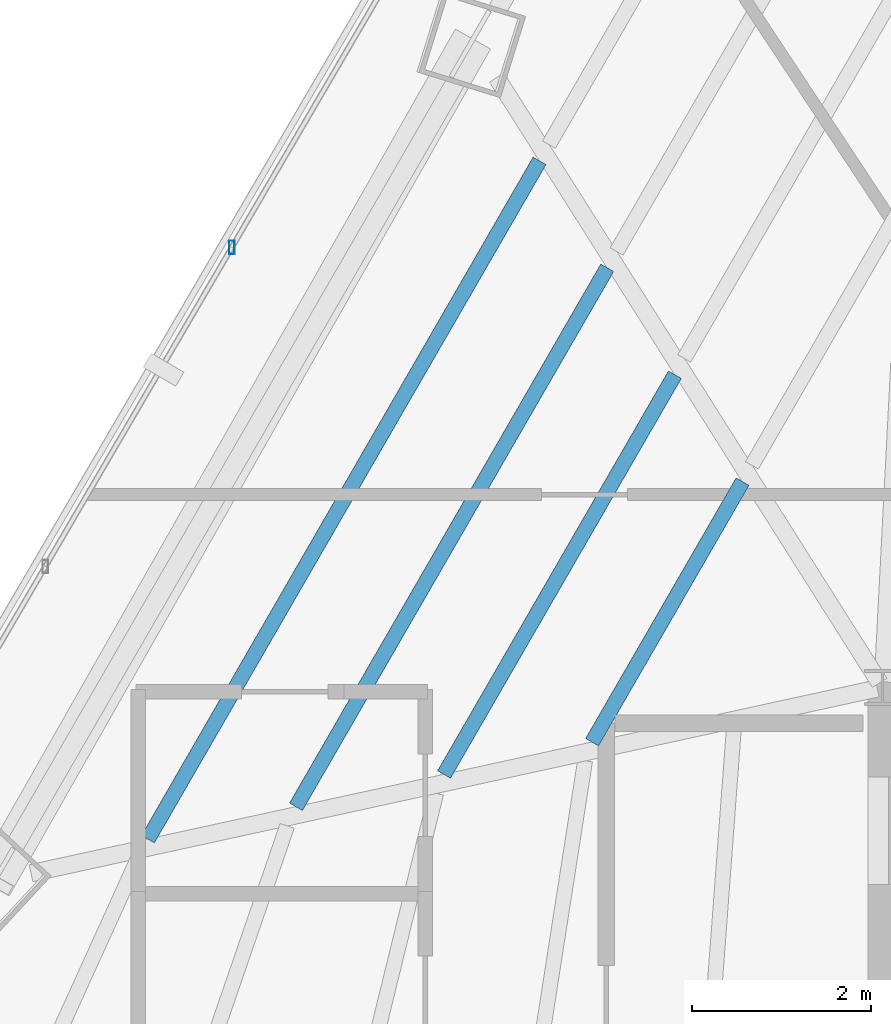
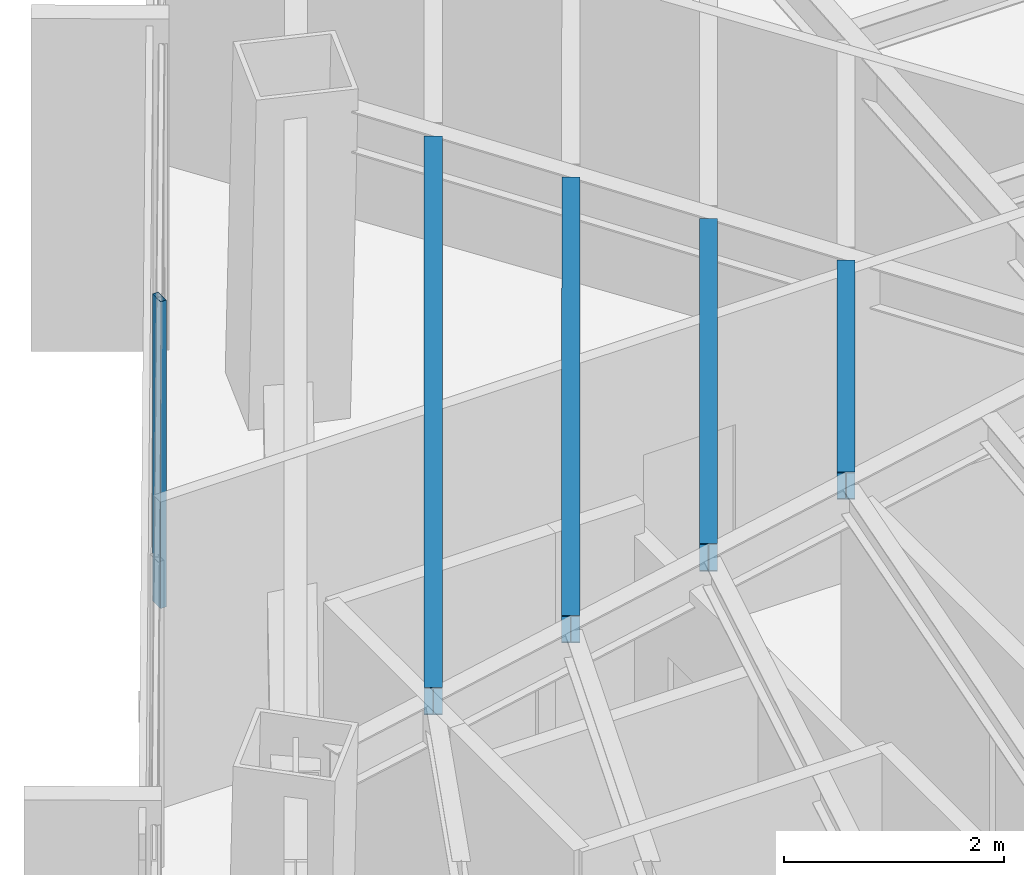
# One storey, part 15 of 41: 4 beams, 1 member, 1 element without a shape of its own.
"""IFC4 building model written with IfcOpenShell, lengths in metres."""

import ifcopenshell
import ifcopenshell.guid

model = None  # the IFC model being written
_history = None  # IfcOwnerHistory: only IFC2X3 demands one
_inside = {}  # id of a spatial element -> (the spatial element, [elements in it])
_under = {}  # id of a project, library or spatial element -> (it, [spatial elements below it])
_declared = {}  # id of a project -> (the project, [libraries it declares])
_typed = {}  # id of a type object -> (the type object, [elements of that type])
_made_of = {}  # id of a material, layer set ... -> (it, [elements and type objects made of it])


def new_model(schema):
    """Start an empty IFC model of exactly this schema.

    Asked for "IFC4X3", IfcOpenShell would pick the latest addendum, in which some entities
    have other attributes; the version numbers below select the first issue.
    IFC2X3 requires an IfcOwnerHistory on every rooted entity: one is made here for all.
    """
    global model, _history
    if schema == "IFC4X3":
        model = ifcopenshell.file(schema_version=(4, 3, 0, 0))
    else:
        model = ifcopenshell.file(schema=schema)
    _inside.clear()
    _under.clear()
    _declared.clear()
    _typed.clear()
    _made_of.clear()
    _history = None
    if model.schema == "IFC2X3":
        org = make("IfcOrganization", Name="unknown")
        user = make(
            "IfcPersonAndOrganization",
            ThePerson=make("IfcPerson", FamilyName="unknown"),
            TheOrganization=org,
        )
        app = make(
            "IfcApplication",
            ApplicationDeveloper=org,
            Version="unknown",
            ApplicationFullName="unknown",
            ApplicationIdentifier="unknown",
        )
        _history = make(
            "IfcOwnerHistory",
            OwningUser=user,
            OwningApplication=app,
            ChangeAction="ADDED",
            CreationDate=0,
        )
    return model


def make(cls, **values):
    """One entity of the class cls with the attributes given. An attribute that is None is left unset."""
    return model.create_entity(
        cls, **{name: value for name, value in values.items() if value is not None}
    )


def rooted(cls, **values):
    """An entity with a GlobalId (a new one), such as an element, a storey or a relation."""
    return make(cls, GlobalId=ifcopenshell.guid.new(), OwnerHistory=_history, **values)


def si_unit(unit_type, name, prefix=None):
    """IfcSIUnit, for example si_unit("LENGTHUNIT", "METRE", prefix="MILLI")."""
    return make("IfcSIUnit", UnitType=unit_type, Prefix=prefix, Name=name)


def assignment(units):
    """IfcUnitAssignment: the units of a project."""
    return None if units is None else make("IfcUnitAssignment", Units=units)


def point(xyz):
    """IfcCartesianPoint."""
    return None if xyz is None else make("IfcCartesianPoint", Coordinates=xyz)


def direction(xyz):
    """IfcDirection."""
    return None if xyz is None else make("IfcDirection", DirectionRatios=xyz)


def frame(location, z_axis=None, x_axis=None):
    """IfcAxis2Placement3D, a coordinate frame: its origin and axes. An axis left out is left unset."""
    return make(
        "IfcAxis2Placement3D",
        Location=point(location),
        Axis=direction(z_axis),
        RefDirection=direction(x_axis),
    )


def frame_2d(location, x_axis=None):
    """IfcAxis2Placement2D, a coordinate frame in the plane: its origin and x axis."""
    return make(
        "IfcAxis2Placement2D", Location=point(location), RefDirection=direction(x_axis)
    )


def origin():
    """The frame at (0, 0, 0) with its axes left unset."""
    return frame((0.0, 0.0, 0.0))


def origin_2d():
    """The frame at (0, 0) in the plane with its x axis left unset."""
    return frame_2d((0.0, 0.0))


def place(relative_to, where):
    """IfcLocalPlacement: puts the frame where relative to a parent placement (None: the world)."""
    return make(
        "IfcLocalPlacement", PlacementRelTo=relative_to, RelativePlacement=where
    )


def context(
    kind, dimensions, precision=None, world=None, true_north=None, identifier=None
):
    """IfcGeometricRepresentationContext, for example the 3D "Model" context."""
    return make(
        "IfcGeometricRepresentationContext",
        ContextIdentifier=identifier,
        ContextType=kind,
        CoordinateSpaceDimension=dimensions,
        Precision=precision,
        WorldCoordinateSystem=world,
        TrueNorth=true_north,
    )


def subcontext(parent, identifier, kind, view, scale=None):
    """IfcGeometricRepresentationSubContext, for example "Body" below "Model"."""
    return make(
        "IfcGeometricRepresentationSubContext",
        ContextIdentifier=identifier,
        ContextType=kind,
        ParentContext=parent,
        TargetScale=scale,
        TargetView=view,
    )


def project(units=None, contexts=None):
    """IfcProject with its units and contexts."""
    return rooted(
        "IfcProject",
        Name="project",
        RepresentationContexts=contexts,
        UnitsInContext=assignment(units),
    )


def spatial(cls, under=None, at=None, **own):
    """A site, building, storey or space (cls), placed at a placement, below another one or the project."""
    s = rooted(cls, ObjectPlacement=at, **own)
    if under is not None:
        _under.setdefault(under.id(), (under, []))[1].append(s)
    return s


def profile(cls, at=None, kind="AREA", **sizes):
    """A parametric profile (cls). Its sizes go by their IFC names, for example OverallWidth=200.0."""
    return make(cls, ProfileType=kind, Position=at, **sizes)


def hollow_rectangle(**sizes):
    """IfcRectangleHollowProfileDef."""
    return profile("IfcRectangleHollowProfileDef", **sizes)


def i_section(**sizes):
    """IfcIShapeProfileDef."""
    return profile("IfcIShapeProfileDef", **sizes)


def extrude(swept, where, along, depth):
    """IfcExtrudedAreaSolid: the profile swept, set in the frame where, extruded along a direction by depth."""
    return make(
        "IfcExtrudedAreaSolid",
        SweptArea=swept,
        Position=where,
        ExtrudedDirection=direction(along),
        Depth=depth,
    )


def shape(context_of_items, identifier, shape_type, items):
    """IfcShapeRepresentation: the items that make up one representation, for example the "Body"."""
    return make(
        "IfcShapeRepresentation",
        ContextOfItems=context_of_items,
        RepresentationIdentifier=identifier,
        RepresentationType=shape_type,
        Items=items,
    )


def source(mapping_origin, context_of_items, identifier, shape_type, items):
    """IfcRepresentationMap: a shape defined once, which mapped items show again and again."""
    return make(
        "IfcRepresentationMap",
        MappingOrigin=mapping_origin,
        MappedRepresentation=shape(context_of_items, identifier, shape_type, items),
    )


def transform(
    local_origin,
    x_axis=None,
    y_axis=None,
    z_axis=None,
    scale=None,
    scale2=None,
    scale3=None,
    uniform=True,
):
    """IfcCartesianTransformationOperator3D, or its non-uniform kind. x_axis, y_axis, z_axis: its Axis1, 2, 3."""
    if uniform:
        return make(
            "IfcCartesianTransformationOperator3D",
            Axis1=direction(x_axis),
            Axis2=direction(y_axis),
            LocalOrigin=point(local_origin),
            Scale=scale,
            Axis3=direction(z_axis),
        )
    return make(
        "IfcCartesianTransformationOperator3DnonUniform",
        Axis1=direction(x_axis),
        Axis2=direction(y_axis),
        LocalOrigin=point(local_origin),
        Scale=scale,
        Axis3=direction(z_axis),
        Scale2=scale2,
        Scale3=scale3,
    )


def mapped(mapping_source, mapping_target):
    """IfcMappedItem: shows the shape of a source again, moved by a transform."""
    return make(
        "IfcMappedItem", MappingSource=mapping_source, MappingTarget=mapping_target
    )


def material(Name=None, Category=None):
    """IfcMaterial."""
    return make("IfcMaterial", Name=Name, Category=Category)


def material_profile(
    of_material, cross_section, Name=None, Category=None, Priority=None
):
    """IfcMaterialProfile: a cross section and its material."""
    return make(
        "IfcMaterialProfile",
        Name=Name,
        Material=of_material,
        Profile=cross_section,
        Priority=Priority,
        Category=Category,
    )


def profile_set(profiles, Name=None, composite=None):
    """IfcMaterialProfileSet."""
    return make(
        "IfcMaterialProfileSet",
        Name=Name,
        MaterialProfiles=profiles,
        CompositeProfile=composite,
    )


def made_of(thing, what):
    """Note that an element or type object is made of a material, layer set ...; save() writes the relation."""
    if what is not None:
        _made_of.setdefault(what.id(), (what, []))[1].append(thing)
    return thing


def type_object(cls, material=None, **own):
    """A type object (cls), such as IfcWallType, which elements share."""
    return made_of(rooted(cls, **own), material)


def type_shapes(of_type, sources):
    """Give a type object the sources (RepresentationMaps) that its elements show as mapped items."""
    of_type.RepresentationMaps = sources


def element(
    cls,
    number,
    at=None,
    inside=None,
    cuts=None,
    type_object=None,
    material=None,
    context=None,
    identifier="Body",
    shape_type=None,
    held_by="IfcProductDefinitionShape",
    body=None,
    shapes=None,
    **own,
):
    """One element of the class cls, such as IfcWall. Its Tag is "e" and its number.

    at: its placement. inside: the storey or other place that contains it. cuts: it is an
    opening in that element (IfcRelVoidsElement). A single representation is given by context,
    identifier, shape_type and body (its items); several are given by shapes. held_by: the class
    of the entity that holds the representations. save() writes the other relations.
    """
    e = rooted(cls, Tag="e%d" % number, ObjectPlacement=at, **own)
    if body is not None:
        shapes = [shape(context, identifier, shape_type, body)]
    if shapes is not None:
        e.Representation = make(held_by, Representations=shapes)
    if inside is not None:
        _inside.setdefault(inside.id(), (inside, []))[1].append(e)
    if cuts is not None:
        rooted(
            "IfcRelVoidsElement", RelatingBuildingElement=cuts, RelatedOpeningElement=e
        )
    if type_object is not None:
        _typed.setdefault(type_object.id(), (type_object, []))[1].append(e)
    return made_of(e, material)


def aggregate(whole, parts):
    """IfcRelAggregates: a whole, such as a stair, and the parts it consists of."""
    return rooted("IfcRelAggregates", RelatingObject=whole, RelatedObjects=parts)


def save(model, path):
    """Write the relations noted so far, then the file.

    IfcRelAggregates (storeys below a building ...), IfcRelContainedInSpatialStructure (elements
    in a storey), IfcRelDefinesByType, IfcRelAssociatesMaterial and IfcRelDeclares: one each for
    every whole, place, type object, material and project.
    """
    for whole, parts in _under.values():
        aggregate(whole, parts)
    for where, things in _inside.values():
        rooted(
            "IfcRelContainedInSpatialStructure",
            RelatedElements=things,
            RelatingStructure=where,
        )
    for kind, things in _typed.values():
        rooted("IfcRelDefinesByType", RelatedObjects=things, RelatingType=kind)
    for what, things in _made_of.values():
        rooted("IfcRelAssociatesMaterial", RelatedObjects=things, RelatingMaterial=what)
    for by, libraries in _declared.values():
        rooted("IfcRelDeclares", RelatingContext=by, RelatedDefinitions=libraries)
    model.write(path)


model = new_model("IFC4")

# Units and contexts
model_context = context("Model", 3, precision=1e-05, world=origin(), true_north=direction((0.0, 1.0)))
body_context = subcontext(model_context, "Body", "Model", "MODEL_VIEW")
ifc_project = project(units=[si_unit("LENGTHUNIT", "METRE"), si_unit("AREAUNIT", "SQUARE_METRE"), si_unit("VOLUMEUNIT", "CUBIC_METRE"), si_unit("PLANEANGLEUNIT", "RADIAN"), si_unit("MASSUNIT", "GRAM", prefix="KILO")], contexts=[model_context])

# Site, building, storey
site_placement = place(None, origin())
site = spatial("IfcSite", under=ifc_project, at=site_placement, CompositionType="ELEMENT")
building_placement = place(site_placement, origin())
building = spatial("IfcBuilding", under=site, at=building_placement, Name="Caelisora Broadcast Tower", CompositionType="ELEMENT")
storey_placement = place(building_placement, frame((0.0, 0.0, 135.449951171875)))
storey = spatial("IfcBuildingStorey", under=building, at=storey_placement, Name="L35", CompositionType="ELEMENT", Elevation=135.449951171875)

# Beams
ifc_material_1 = material(Name="Steel Grade 350 (AS/NZS 3679.1)", Category="steel")
ifc_material_profile_1 = material_profile(ifc_material_1, i_section(OverallWidth=0.166015625, OverallDepth=0.30712890625, WebThickness=0.006591796875, FlangeThickness=0.01171875, at=origin_2d()), Name="Steel Grade 350 (AS/NZS 3679.1)")
ifc_profile_set_1 = profile_set([ifc_material_profile_1], Name="Steel Grade 350 (AS/NZS 3679.1)")
beam_type = type_object("IfcBeamType", Name="SB03", PredefinedType="JOIST", material=ifc_profile_set_1)
shared_shape_1 = source(origin(), body_context, "Body", "SweptSolid", [
    extrude(i_section(OverallWidth=0.166015625, OverallDepth=0.30712890625, WebThickness=0.006591796875, FlangeThickness=0.01171875, at=origin_2d()), origin(), (0.0, 0.0, 1.0), 3.3544921875),
])
beam_1_placement = place(storey_placement, frame((28.93896484375, 32.293701171875, 3.246337890625), z_axis=(-0.50000595786, -0.866021963985, 0.0), x_axis=(0.866021963985, -0.50000595786, 0.0)))
element("IfcBeam", 1, at=beam_1_placement, inside=storey, type_object=beam_type, Name="L35 beam SB03", PredefinedType="JOIST", context=body_context, shape_type="MappedRepresentation", body=[
    mapped(shared_shape_1, transform((0.0, 0.0, 0.0), scale=1.0)),
])
shared_shape_2 = source(origin(), body_context, "Body", "SweptSolid", [
    extrude(i_section(OverallWidth=0.166015625, OverallDepth=0.30712890625, WebThickness=0.006591796875, FlangeThickness=0.01171875, at=origin_2d()), origin(), (0.0, 0.0, 1.0), 5.14697265625),
])
beam_2_placement = place(storey_placement, frame((28.1845703125, 33.48583984375, 3.246337890625), z_axis=(-0.499990707328, -0.866030768845, 0.0), x_axis=(0.866030768845, -0.499990707328, 0.0)))
element("IfcBeam", 2, at=beam_2_placement, inside=storey, type_object=beam_type, Name="L35 beam SB03", PredefinedType="JOIST", context=body_context, shape_type="MappedRepresentation", body=[
    mapped(shared_shape_2, transform((0.0, 0.0, 0.0), scale=1.0)),
])
shared_shape_3 = source(origin(), body_context, "Body", "SweptSolid", [
    extrude(i_section(OverallWidth=0.166015625, OverallDepth=0.30712890625, WebThickness=0.006591796875, FlangeThickness=0.01171875, at=origin_2d()), origin(), (0.0, 0.0, 1.0), 6.93994140625),
])
beam_3_placement = place(storey_placement, frame((27.430419921875, 34.677978515625, 3.246337890625), z_axis=(-0.500036104519, -0.866004557827, 0.0), x_axis=(0.866004557827, -0.500036104519, 0.0)))
element("IfcBeam", 3, at=beam_3_placement, inside=storey, type_object=beam_type, Name="L35 beam SB03", PredefinedType="JOIST", context=body_context, shape_type="MappedRepresentation", body=[
    mapped(shared_shape_3, transform((0.0, 0.0, 0.0), scale=1.0)),
])
shared_shape_4 = source(origin(), body_context, "Body", "SweptSolid", [
    extrude(i_section(OverallWidth=0.166015625, OverallDepth=0.30712890625, WebThickness=0.006591796875, FlangeThickness=0.01171875, at=origin_2d()), origin(), (0.0, 0.0, 1.0), 8.732421875),
])
type_shapes(beam_type, [shared_shape_1, shared_shape_2, shared_shape_3, shared_shape_4])
beam_4_placement = place(storey_placement, frame((26.67578125, 35.8701171875, 3.246337890625), z_axis=(-0.499999959354, -0.866025427251, 0.0), x_axis=(0.866025427251, -0.499999959354, 0.0)))
element("IfcBeam", 4, at=beam_4_placement, inside=storey, type_object=beam_type, Name="L35 beam SB03", PredefinedType="JOIST", context=body_context, shape_type="MappedRepresentation", body=[
    mapped(shared_shape_4, transform((0.0, 0.0, 0.0), scale=1.0)),
])

# Curtain wall, member
ifc_material_2 = material(Name="Unitised Aluminium Insulated Shadow-Box Spandrel Curtain Wall", Category="aluminium")
curtain_wall_type = type_object("IfcCurtainWallType", Name="CW-SP2", PredefinedType="NOTDEFINED", material=ifc_material_2)
curtain_wall_placement = place(storey_placement, origin())
curtain_wall = element("IfcCurtainWall", 5, at=curtain_wall_placement, inside=storey, type_object=curtain_wall_type, Name="L35 curtain wall CW-SP2", PredefinedType="NOTDEFINED")
ifc_material_3 = material(Name="Aluminium 6063-T6 Anodised Terracotta Bronze", Category="aluminium")
ifc_material_profile_2 = material_profile(ifc_material_3, hollow_rectangle(XDim=0.06005859375, YDim=0.14990234375, WallThickness=0.00341796875, at=origin_2d()), Name="Aluminium 6063-T6 Anodised Terracotta Bronze")
ifc_profile_set_2 = profile_set([ifc_material_profile_2], Name="Aluminium 6063-T6 Anodised Terracotta Bronze")
member_type = type_object("IfcMemberType", Name="CWM-03", PredefinedType="MULLION", material=ifc_profile_set_2)
shared_shape_5 = source(origin(), body_context, "Body", "SweptSolid", [
    extrude(hollow_rectangle(XDim=0.06005859375, YDim=0.14990234375, WallThickness=0.00341796875, at=origin_2d()), origin(), (0.0, 0.0, 1.0), 3.400146484375),
])
type_shapes(member_type, [shared_shape_5])
member_placement = place(storey_placement, frame((23.2451171875, 34.9052734375, 0.0), z_axis=(0.0, 0.0, 1.0), x_axis=(1.0, 0.0, 0.0)))
member = element("IfcMember", 6, at=member_placement, type_object=member_type, Name="L35-CW-B10 mullion #2", PredefinedType="MULLION", context=body_context, shape_type="MappedRepresentation", body=[
    mapped(shared_shape_5, transform((0.0, 0.0, 0.0), scale=1.0)),
])
aggregate(curtain_wall, [member])

save(model, "model.ifc")
